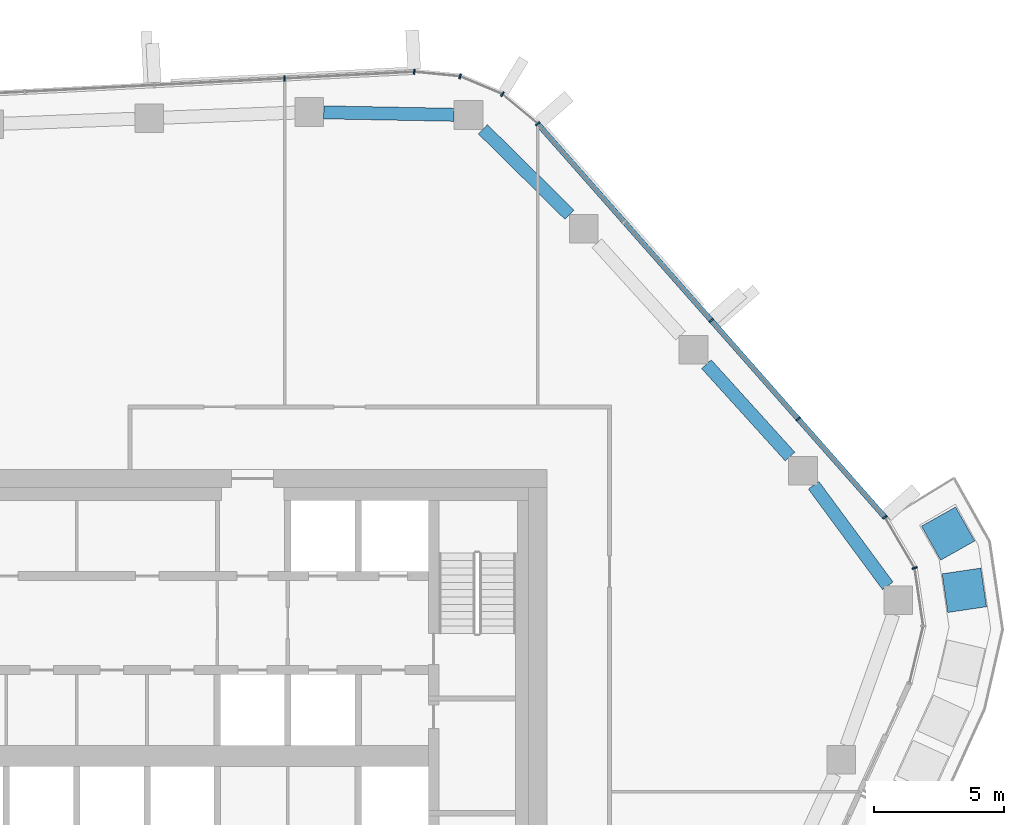
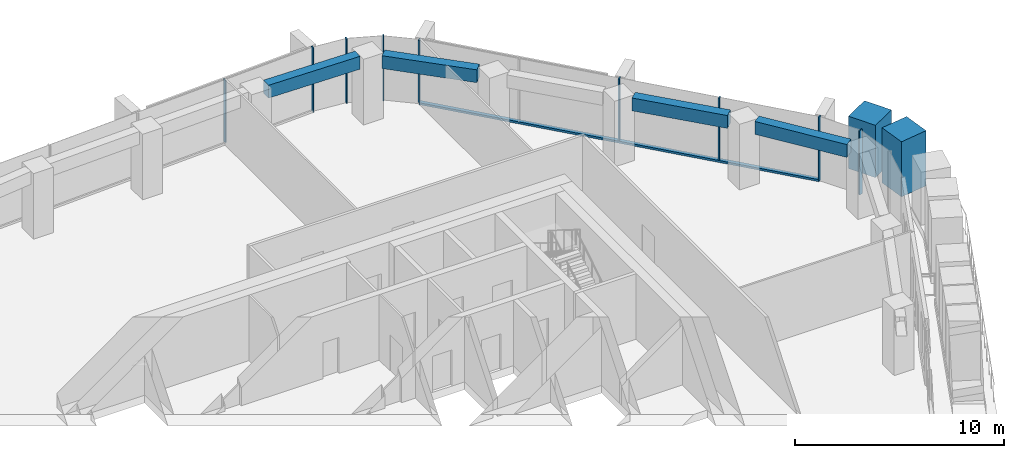
# One storey, part 9 of 22: 12 members, 4 beams, 4 elements without a shape of their own.
"""IFC4 building model written with IfcOpenShell, lengths in metres."""

from ifc_helpers import new_model, si_unit, direction, frame, origin, origin_2d, place, context, subcontext, project, spatial, rectangle, extrude, material, layer, layer_set, material_profile, profile_set, type_object, element, aggregate, save


model = new_model("IFC4")

# Units and contexts
model_context = context("Model", 3, precision=1e-05, world=origin(), true_north=direction((0.0, 1.0)))
body_context = subcontext(model_context, "Body", "Model", "MODEL_VIEW")
ifc_project = project(units=[si_unit("LENGTHUNIT", "METRE"), si_unit("AREAUNIT", "SQUARE_METRE"), si_unit("VOLUMEUNIT", "CUBIC_METRE"), si_unit("PLANEANGLEUNIT", "RADIAN"), si_unit("MASSUNIT", "GRAM", prefix="KILO")], contexts=[model_context])

# Site, building, storey
site_placement = place(None, origin())
site = spatial("IfcSite", under=ifc_project, at=site_placement, CompositionType="ELEMENT")
building_placement = place(site_placement, origin())
building = spatial("IfcBuilding", under=site, at=building_placement, Name="Dongbaek Canopy Tower", CompositionType="ELEMENT")
storey_placement = place(building_placement, frame((0.0, 0.0, 237.0)))
storey = spatial("IfcBuildingStorey", under=building, at=storey_placement, Name="L49", CompositionType="ELEMENT", Elevation=237.0)

# Curtain wall, members
ifc_material_1 = material(Name="Aluminium 6063-T6 pale anodised", Category="aluminium")
ifc_layer = layer(ifc_material_1, 0.199951171875)
ifc_layer_set = layer_set([ifc_layer], Name="CW-1 unitised tower curtain wall")
curtain_wall_type = type_object("IfcCurtainWallType", Name="CW-1 unitised tower curtain wall", PredefinedType="NOTDEFINED", material=ifc_layer_set)
curtain_wall_1_placement = place(storey_placement, origin())
curtain_wall_1 = element("IfcCurtainWall", 1, at=curtain_wall_1_placement, inside=storey, type_object=curtain_wall_type, Name="CW-1 curtain wall K0.1", PredefinedType="NOTDEFINED")
ifc_material_2 = material(Name="Aluminium 6063-T6 pale anodised", Category="aluminium")
ifc_material_profile_1 = material_profile(ifc_material_2, rectangle(XDim=0.199951171875, YDim=0.06005859375, at=origin_2d()), Name="CW-1 mullion 60 x 200")
ifc_profile_set_1 = profile_set([ifc_material_profile_1], Name="Aluminium 6063-T6 pale anodised")
member_type_1 = type_object("IfcMemberType", Name="CW-1 mullion 60 x 200", PredefinedType="MULLION", material=ifc_profile_set_1)
member_1_placement = place(storey_placement, frame((28.117919921875, 7.21240234375, 0.0), z_axis=(0.0, 0.0, 1.0), x_axis=(0.943107771326, 0.332487190226, 0.0)))
member_1 = element("IfcMember", 2, at=member_1_placement, type_object=member_type_1, Name="CW-1 mullion K0.1.3", PredefinedType="MULLION", context=body_context, shape_type="SweptSolid", body=[
    extrude(rectangle(XDim=0.199951171875, YDim=0.06005859375, at=origin_2d()), origin(), (0.0, 0.0, 1.0), 3.75),
])
member_2_placement = place(storey_placement, frame((26.972900390625, 9.162109375, 0.0), z_axis=(0.0, 0.0, 1.0), x_axis=(0.862318339325, 0.506366548722, 0.0)))
member_2 = element("IfcMember", 3, at=member_2_placement, type_object=member_type_1, Name="CW-1 mullion K0.1.4", PredefinedType="MULLION", context=body_context, shape_type="SweptSolid", body=[
    extrude(rectangle(XDim=0.199951171875, YDim=0.06005859375, at=origin_2d()), origin(), (0.0, 0.0, 1.0), 3.75),
])
aggregate(curtain_wall_1, [member_1, member_2])

curtain_wall_2_placement = place(storey_placement, origin())
curtain_wall_2 = element("IfcCurtainWall", 4, at=curtain_wall_2_placement, inside=storey, type_object=curtain_wall_type, Name="CW-1 curtain wall F0.1", PredefinedType="NOTDEFINED")
member_3_placement = place(storey_placement, frame((23.64501953125, 12.933837890625, 0.1201171875), z_axis=(0.0, 0.0, 1.0), x_axis=(0.749829254199, 0.661631384947, 0.0)))
member_3 = element("IfcMember", 5, at=member_3_placement, type_object=member_type_1, Name="CW-1 mullion F0.1.2", PredefinedType="MULLION", context=body_context, shape_type="SweptSolid", body=[
    extrude(rectangle(XDim=0.199951171875, YDim=0.06005859375, at=origin_2d()), origin(), (0.0, 0.0, 1.0), 3.6298828125),
])
member_4_placement = place(storey_placement, frame((20.310546875, 16.712646484375, 0.1201171875), z_axis=(0.0, 0.0, 1.0), x_axis=(0.749829254199, 0.661631384947, 0.0)))
member_4 = element("IfcMember", 6, at=member_4_placement, type_object=member_type_1, Name="CW-1 mullion F0.1.3", PredefinedType="MULLION", context=body_context, shape_type="SweptSolid", body=[
    extrude(rectangle(XDim=0.199951171875, YDim=0.06005859375, at=origin_2d()), origin(), (0.0, 0.0, 1.0), 3.6298828125),
])
member_5_placement = place(storey_placement, frame((13.646728515625, 24.2646484375, 0.1201171875), z_axis=(0.0, 0.0, 1.0), x_axis=(0.749829254199, 0.661631384947, 0.0)))
member_5 = element("IfcMember", 7, at=member_5_placement, type_object=member_type_1, Name="CW-1 mullion F0.1.5", PredefinedType="MULLION", context=body_context, shape_type="SweptSolid", body=[
    extrude(rectangle(XDim=0.199951171875, YDim=0.06005859375, at=origin_2d()), origin(), (0.0, 0.0, 1.0), 3.6298828125),
])

curtain_wall_3_placement = place(storey_placement, origin())
curtain_wall_3 = element("IfcCurtainWall", 8, at=curtain_wall_3_placement, inside=storey, type_object=curtain_wall_type, Name="CW-1 curtain wall K1.1", PredefinedType="NOTDEFINED")
member_6_placement = place(storey_placement, frame((12.291748046875, 25.4013671875, 0.0), z_axis=(0.0, 0.0, 1.0), x_axis=(0.521098970502, 0.853496258306, 0.0)))
member_6 = element("IfcMember", 9, at=member_6_placement, type_object=member_type_1, Name="CW-1 mullion K1.1.2", PredefinedType="MULLION", context=body_context, shape_type="SweptSolid", body=[
    extrude(rectangle(XDim=0.199951171875, YDim=0.06005859375, at=origin_2d()), origin(), (0.0, 0.0, 1.0), 3.75),
])
member_7_placement = place(storey_placement, frame((10.66845703125, 26.08447265625, 0.0), z_axis=(0.0, 0.0, 1.0), x_axis=(0.245923306324, 0.969289289844, 0.0)))
member_7 = element("IfcMember", 10, at=member_7_placement, type_object=member_type_1, Name="CW-1 mullion K1.1.3", PredefinedType="MULLION", context=body_context, shape_type="SweptSolid", body=[
    extrude(rectangle(XDim=0.199951171875, YDim=0.06005859375, at=origin_2d()), origin(), (0.0, 0.0, 1.0), 3.75),
])
member_8_placement = place(storey_placement, frame((8.908447265625, 26.258544921875, 0.0), z_axis=(0.0, 0.0, 1.0), x_axis=(0.098479301867, 0.995139099374, 0.0)))
member_8 = element("IfcMember", 11, at=member_8_placement, type_object=member_type_1, Name="CW-1 mullion K1.1.4", PredefinedType="MULLION", context=body_context, shape_type="SweptSolid", body=[
    extrude(rectangle(XDim=0.199951171875, YDim=0.06005859375, at=origin_2d()), origin(), (0.0, 0.0, 1.0), 3.75),
])
aggregate(curtain_wall_3, [member_6, member_7, member_8])

# Curtain wall, member
curtain_wall_4_placement = place(storey_placement, origin())
curtain_wall_4 = element("IfcCurtainWall", 12, at=curtain_wall_4_placement, inside=storey, type_object=curtain_wall_type, Name="CW-1 curtain wall F1.1", PredefinedType="NOTDEFINED")
member_9_placement = place(storey_placement, frame((3.9287109375, 26.00341796875, 0.1201171875), z_axis=(0.0, 0.0, 1.0), x_axis=(-0.051171421559, 0.998689884607, 0.0)))
member_9 = element("IfcMember", 13, at=member_9_placement, type_object=member_type_1, Name="CW-1 mullion F1.1.2", PredefinedType="MULLION", context=body_context, shape_type="SweptSolid", body=[
    extrude(rectangle(XDim=0.199951171875, YDim=0.06005859375, at=origin_2d()), origin(), (0.0, 0.0, 1.0), 3.6298828125),
])
aggregate(curtain_wall_4, [member_9])

# Member
ifc_material_3 = material(Name="Aluminium 6063-T6 pale anodised", Category="aluminium")
ifc_material_profile_2 = material_profile(ifc_material_3, rectangle(XDim=0.199951171875, YDim=0.1201171875, at=origin_2d()), Name="CW-1 transom 120 x 200")
ifc_profile_set_2 = profile_set([ifc_material_profile_2], Name="Aluminium 6063-T6 pale anodised")
member_type_2 = type_object("IfcMemberType", Name="CW-1 transom 120 x 200", PredefinedType="USERDEFINED", material=ifc_profile_set_2)
member_10_placement = place(storey_placement, frame((26.972900390625, 9.162109375, 0.06005859375), z_axis=(-0.66163286225, 0.74982795066, 0.0), x_axis=(-0.74982795066, -0.66163286225, 0.0)))
member_10 = element("IfcMember", 14, at=member_10_placement, type_object=member_type_2, Name="CW-1 transom F0.1.1", ObjectType="TRANSOM", PredefinedType="USERDEFINED", context=body_context, shape_type="SweptSolid", body=[
    extrude(rectangle(XDim=0.199951171875, YDim=0.1201171875, at=origin_2d()), origin(), (0.0, 0.0, 1.0), 20.141357421875),
])

aggregate(curtain_wall_2, [member_3, member_4, member_5, member_10])

# Beams
ifc_material_4 = material(Name="Concrete C70", Category="concrete")
ifc_material_profile_3 = material_profile(ifc_material_4, rectangle(XDim=0.5, YDim=0.75, at=origin_2d()), Name="RC EDGE BEAM 500x750 C70")
ifc_profile_set_3 = profile_set([ifc_material_profile_3], Name="Concrete C70")
beam_type = type_object("IfcBeamType", Name="RC EDGE BEAM 500x750 C70", PredefinedType="BEAM", material=ifc_profile_set_3)
beam_1_placement = place(storey_placement, frame((5.43310546875, 24.70361328125, 3.445068359375), z_axis=(0.999822914654, -0.018818590065, 0.0), x_axis=(0.018818590065, 0.999822914654, 0.0)))
element("IfcBeam", 15, at=beam_1_placement, inside=storey, type_object=beam_type, Name="EDGEBEAM:L49:16", PredefinedType="BEAM", context=body_context, shape_type="SweptSolid", body=[
    extrude(rectangle(XDim=0.5, YDim=0.75, at=origin_2d()), origin(), (0.0, 0.0, 1.0), 5.0078125),
])
beam_2_placement = place(storey_placement, frame((11.5400390625, 24.05615234375, 3.445068359375), z_axis=(0.711738619198, -0.70244440203, 0.0), x_axis=(0.70244440203, 0.711738619198, 0.0)))
element("IfcBeam", 16, at=beam_2_placement, inside=storey, type_object=beam_type, Name="EDGEBEAM:L49:17", PredefinedType="BEAM", context=body_context, shape_type="SweptSolid", body=[
    extrude(rectangle(XDim=0.5, YDim=0.75, at=origin_2d()), origin(), (0.0, 0.0, 1.0), 4.67578125),
])
beam_3_placement = place(storey_placement, frame((20.123046875, 15.033935546875, 3.445068359375), z_axis=(0.671218045362, -0.741259964911, 0.0), x_axis=(0.741259964911, 0.671218045362, 0.0)))
element("IfcBeam", 17, at=beam_3_placement, inside=storey, type_object=beam_type, Name="EDGEBEAM:L49:19", PredefinedType="BEAM", context=body_context, shape_type="SweptSolid", body=[
    extrude(rectangle(XDim=0.5, YDim=0.75, at=origin_2d()), origin(), (0.0, 0.0, 1.0), 4.7822265625),
])
beam_4_placement = place(storey_placement, frame((24.23681640625, 10.388916015625, 3.445068359375), z_axis=(0.593714292615, -0.804675921564, 0.0), x_axis=(0.804675921564, 0.593714292615, 0.0)))
element("IfcBeam", 18, at=beam_4_placement, inside=storey, type_object=beam_type, Name="EDGEBEAM:L49:20", PredefinedType="BEAM", context=body_context, shape_type="SweptSolid", body=[
    extrude(rectangle(XDim=0.5, YDim=0.75, at=origin_2d()), origin(), (0.0, 0.0, 1.0), 4.79931640625),
])

# Members
ifc_material_5 = material(Name="Concrete C40/50 planter mass with planting", Category="concrete")
ifc_material_profile_4 = material_profile(ifc_material_5, rectangle(XDim=1.5, YDim=1.5, at=origin_2d()), Name="Terrace PLANTER shrub mass 1500 x 1500")
ifc_profile_set_4 = profile_set([ifc_material_profile_4], Name="Concrete C40/50 planter mass with planting")
member_type_3 = type_object("IfcMemberType", Name="Terrace PLANTER shrub mass 1500 x 1500", PredefinedType="USERDEFINED", material=ifc_profile_set_4)
member_11_placement = place(storey_placement, frame((30.022705078125, 6.3564453125, 0.419921875), z_axis=(0.0, 0.0, 1.0), x_axis=(0.989227652843, 0.146385282221, 0.0)))
element("IfcMember", 19, at=member_11_placement, inside=storey, type_object=member_type_3, Name="Planter shrubs L49 3.4", ObjectType="PLANTER", PredefinedType="USERDEFINED", context=body_context, shape_type="SweptSolid", body=[
    extrude(rectangle(XDim=1.5, YDim=1.5, at=origin_2d()), origin(), (0.0, 0.0, 1.0), 3.2099609375),
])
member_12_placement = place(storey_placement, frame((29.400146484375, 8.532958984375, 0.419921875), z_axis=(0.0, 0.0, 1.0), x_axis=(0.871626237396, 0.490171094907, 0.0)))
element("IfcMember", 20, at=member_12_placement, inside=storey, type_object=member_type_3, Name="Planter shrubs L49 3.5", ObjectType="PLANTER", PredefinedType="USERDEFINED", context=body_context, shape_type="SweptSolid", body=[
    extrude(rectangle(XDim=1.5, YDim=1.5, at=origin_2d()), origin(), (0.0, 0.0, 1.0), 3.050048828125),
])

save(model, "model.ifc")
